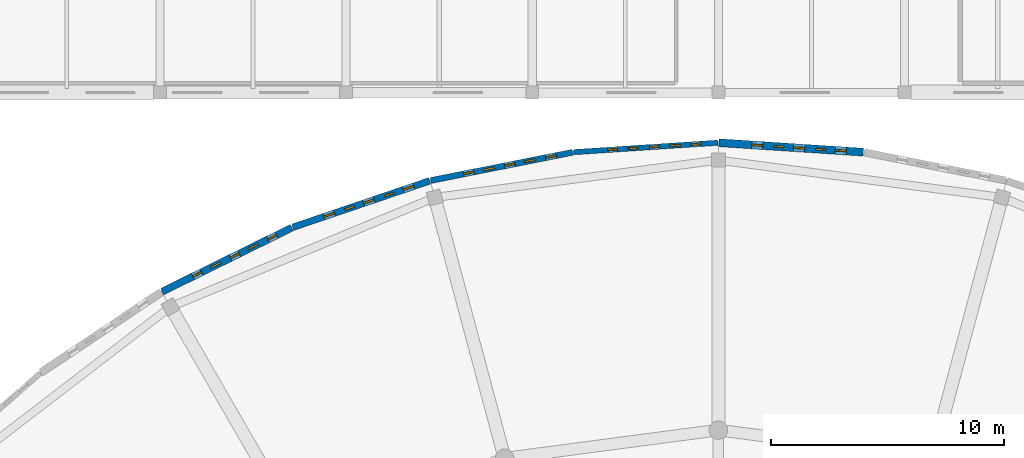
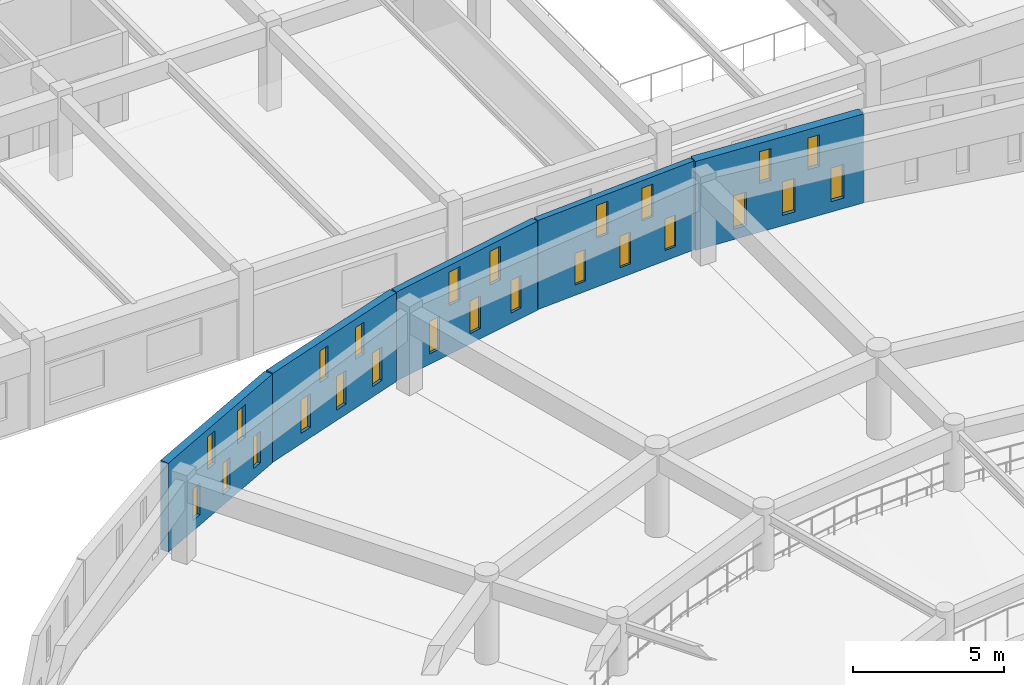
# One storey, part 115 of 155: 25 windows, 5 walls, 25 openings.
"""IFC4 building model written with IfcOpenShell, lengths in metres."""

from ifc_helpers import new_model, si_unit, direction, frame, frame_2d, origin, place, context, subcontext, project, spatial, rectangle, extrude, material, layer, layer_set, type_object, element, fill, save


model = new_model("IFC4")

# Units and contexts
model_context = context("Model", 3, precision=1e-05, world=origin(), true_north=direction((0.0, 1.0)))
body_context = subcontext(model_context, "Body", "Model", "MODEL_VIEW")
ifc_project = project(units=[si_unit("LENGTHUNIT", "METRE"), si_unit("AREAUNIT", "SQUARE_METRE"), si_unit("VOLUMEUNIT", "CUBIC_METRE"), si_unit("PLANEANGLEUNIT", "RADIAN"), si_unit("MASSUNIT", "GRAM", prefix="KILO")], contexts=[model_context])

# Site, building, storey
site_placement = place(None, origin())
site = spatial("IfcSite", under=ifc_project, at=site_placement, CompositionType="ELEMENT")
building_placement = place(site_placement, origin())
building = spatial("IfcBuilding", under=site, at=building_placement, Name="Larkveld Mobility Hub", CompositionType="ELEMENT")
storey_placement = place(building_placement, frame((0.0, 0.0, 8.39990234375)))
storey = spatial("IfcBuildingStorey", under=building, at=storey_placement, Name="L02", CompositionType="ELEMENT", Elevation=8.39990234375)

# Wall, openings, windows
ifc_material_1 = material(Name="Fired clay brick 25 MPa", Category="masonry")
ifc_layer_1 = layer(ifc_material_1, 0.22998046875, Name="Fired clay brick 25 MPa", Category="masonry")
ifc_layer_set_1 = layer_set([ifc_layer_1], Name="Fired clay brick 25 MPa")
wall_type_1 = type_object("IfcWallType", Name="WL-BRK-230", PredefinedType="USERDEFINED", material=ifc_layer_set_1)
wall_1_placement = place(storey_placement, frame((47.97607421875, 95.847900390625, 0.0), z_axis=(0.0, 0.0, 1.0), x_axis=(-0.997874164219, -0.065170180182, 0.0)))
wall_1 = element("IfcWall", 1, at=wall_1_placement, inside=storey, type_object=wall_type_1, Name="Drum Woven Open-Bond Brick Chord L02-0103", ObjectType="PERFORATED BRICK SCREEN", PredefinedType="USERDEFINED", context=body_context, shape_type="SweptSolid", body=[
    extrude(rectangle(XDim=6.211181640625, YDim=0.22998046875, at=frame_2d((3.10546875, 0.0))), origin(), (0.0, 0.0, 1.0), 3.60009765625),
])
opening_1_placement = place(wall_1_placement, frame((0.719970703125, 0.0, 0.419921875)))
opening_1 = element("IfcOpeningElement", 2, at=opening_1_placement, cuts=wall_1, Name="Opening W01", PredefinedType="OPENING", context=body_context, shape_type="SweptSolid", body=[
    extrude(rectangle(XDim=0.419921875, YDim=1.280029296875, at=frame_2d((0.2099609375, 0.64013671875))), frame((0.0, 0.125, 0.0), z_axis=(0.0, -1.0, 0.0), x_axis=(1.0, 0.0, 0.0)), (0.0, 0.0, 1.0), 0.25),
])
opening_2_placement = place(wall_1_placement, frame((2.52001953125, 0.0, 0.419921875)))
opening_2 = element("IfcOpeningElement", 3, at=opening_2_placement, cuts=wall_1, Name="Opening W01", PredefinedType="OPENING", context=body_context, shape_type="SweptSolid", body=[
    extrude(rectangle(XDim=0.419921875, YDim=1.280029296875, at=frame_2d((0.2099609375, 0.64013671875))), frame((0.0, 0.125, 0.0), z_axis=(0.0, -1.0, 0.0), x_axis=(1.0, 0.0, 0.0)), (0.0, 0.0, 1.0), 0.25),
])
opening_3_placement = place(wall_1_placement, frame((4.320068359375, 0.0, 0.419921875)))
opening_3 = element("IfcOpeningElement", 4, at=opening_3_placement, cuts=wall_1, Name="Opening W01", PredefinedType="OPENING", context=body_context, shape_type="SweptSolid", body=[
    extrude(rectangle(XDim=0.419921875, YDim=1.280029296875, at=frame_2d((0.2099609375, 0.64013671875))), frame((0.0, 0.125, 0.0), z_axis=(0.0, -1.0, 0.0), x_axis=(1.0, 0.0, 0.0)), (0.0, 0.0, 1.0), 0.25),
])
opening_4_placement = place(wall_1_placement, frame((1.6201171875, 0.0, 1.97998046875)))
opening_4 = element("IfcOpeningElement", 5, at=opening_4_placement, cuts=wall_1, Name="Opening W02", PredefinedType="OPENING", context=body_context, shape_type="SweptSolid", body=[
    extrude(rectangle(XDim=0.449951171875, YDim=1.320068359375, at=frame_2d((0.22509765625, 0.66015625))), frame((0.0, 0.125, 0.0), z_axis=(0.0, -1.0, 0.0), x_axis=(1.0, 0.0, 0.0)), (0.0, 0.0, 1.0), 0.25),
])
opening_5_placement = place(wall_1_placement, frame((3.419921875, 0.0, 1.97998046875)))
opening_5 = element("IfcOpeningElement", 6, at=opening_5_placement, cuts=wall_1, Name="Opening W02", PredefinedType="OPENING", context=body_context, shape_type="SweptSolid", body=[
    extrude(rectangle(XDim=0.449951171875, YDim=1.320068359375, at=frame_2d((0.22509765625, 0.66015625))), frame((0.0, 0.125, 0.0), z_axis=(0.0, -1.0, 0.0), x_axis=(1.0, 0.0, 0.0)), (0.0, 0.0, 1.0), 0.25),
])
ifc_material_2 = material(Name="Extruded aluminium ventilation grille", Category="aluminium")
window_type_1 = type_object("IfcWindowType", Name="WN-VENT-01", PartitioningType="SINGLE_PANEL", PredefinedType="WINDOW", material=ifc_material_2)
window_1_placement = place(opening_1_placement, origin())
window_1 = element("IfcWindow", 7, at=window_1_placement, inside=storey, type_object=window_type_1, Name="Window W01 (0501)", OverallHeight=1.280029296875, OverallWidth=0.419921875, PartitioningType="SINGLE_PANEL", PredefinedType="WINDOW", context=body_context, shape_type="SweptSolid", body=[
    extrude(rectangle(XDim=0.419921875, YDim=1.280029296875, at=frame_2d((0.2099609375, 0.64013671875))), frame((0.0, 0.030029296875, 0.0), z_axis=(0.0, -1.0, 0.0), x_axis=(1.0, 0.0, 0.0)), (0.0, 0.0, 1.0), 0.06005859375),
])
fill(opening_1, window_1)
window_2_placement = place(opening_2_placement, origin())
window_2 = element("IfcWindow", 8, at=window_2_placement, inside=storey, type_object=window_type_1, Name="Window W01 (0502)", OverallHeight=1.280029296875, OverallWidth=0.419921875, PartitioningType="SINGLE_PANEL", PredefinedType="WINDOW", context=body_context, shape_type="SweptSolid", body=[
    extrude(rectangle(XDim=0.419921875, YDim=1.280029296875, at=frame_2d((0.2099609375, 0.64013671875))), frame((0.0, 0.030029296875, 0.0), z_axis=(0.0, -1.0, 0.0), x_axis=(1.0, 0.0, 0.0)), (0.0, 0.0, 1.0), 0.06005859375),
])
fill(opening_2, window_2)
window_3_placement = place(opening_3_placement, origin())
window_3 = element("IfcWindow", 9, at=window_3_placement, inside=storey, type_object=window_type_1, Name="Window W01 (0503)", OverallHeight=1.280029296875, OverallWidth=0.419921875, PartitioningType="SINGLE_PANEL", PredefinedType="WINDOW", context=body_context, shape_type="SweptSolid", body=[
    extrude(rectangle(XDim=0.419921875, YDim=1.280029296875, at=frame_2d((0.2099609375, 0.64013671875))), frame((0.0, 0.030029296875, 0.0), z_axis=(0.0, -1.0, 0.0), x_axis=(1.0, 0.0, 0.0)), (0.0, 0.0, 1.0), 0.06005859375),
])
fill(opening_3, window_3)
window_type_2 = type_object("IfcWindowType", Name="WN-VENT-02", PartitioningType="SINGLE_PANEL", PredefinedType="WINDOW", material=ifc_material_2)
window_4_placement = place(opening_4_placement, origin())
window_4 = element("IfcWindow", 10, at=window_4_placement, inside=storey, type_object=window_type_2, Name="Window W02 (0504)", OverallHeight=1.320068359375, OverallWidth=0.449951171875, PartitioningType="SINGLE_PANEL", PredefinedType="WINDOW", context=body_context, shape_type="SweptSolid", body=[
    extrude(rectangle(XDim=0.449951171875, YDim=1.320068359375, at=frame_2d((0.22509765625, 0.66015625))), frame((0.0, 0.030029296875, 0.0), z_axis=(0.0, -1.0, 0.0), x_axis=(1.0, 0.0, 0.0)), (0.0, 0.0, 1.0), 0.06005859375),
])
fill(opening_4, window_4)
window_5_placement = place(opening_5_placement, origin())
window_5 = element("IfcWindow", 11, at=window_5_placement, inside=storey, type_object=window_type_2, Name="Window W02 (0505)", OverallHeight=1.320068359375, OverallWidth=0.449951171875, PartitioningType="SINGLE_PANEL", PredefinedType="WINDOW", context=body_context, shape_type="SweptSolid", body=[
    extrude(rectangle(XDim=0.449951171875, YDim=1.320068359375, at=frame_2d((0.22509765625, 0.66015625))), frame((0.0, 0.030029296875, 0.0), z_axis=(0.0, -1.0, 0.0), x_axis=(1.0, 0.0, 0.0)), (0.0, 0.0, 1.0), 0.06005859375),
])
fill(opening_5, window_5)

ifc_layer_2 = layer(ifc_material_1, 0.260009765625, Name="Fired clay brick 25 MPa", Category="masonry")
ifc_layer_set_2 = layer_set([ifc_layer_2], Name="Fired clay brick 25 MPa")
wall_type_2 = type_object("IfcWallType", Name="WL-BRK-260", PredefinedType="USERDEFINED", material=ifc_layer_set_2)
wall_2_placement = place(storey_placement, frame((41.72998046875, 95.43603515625, 0.0), z_axis=(0.0, 0.0, 1.0), x_axis=(-0.980799338869, -0.195019632022, 0.0)))
wall_2 = element("IfcWall", 12, at=wall_2_placement, inside=storey, type_object=wall_type_2, Name="Drum Woven Open-Bond Brick Chord L02-0104", ObjectType="PERFORATED BRICK SCREEN", PredefinedType="USERDEFINED", context=body_context, shape_type="SweptSolid", body=[
    extrude(rectangle(XDim=6.209228515625, YDim=0.260009765625, at=frame_2d((3.1044921875, 0.0))), origin(), (0.0, 0.0, 1.0), 3.60009765625),
])
opening_6_placement = place(wall_2_placement, frame((0.719970703125, 0.0, 0.419921875)))
opening_6 = element("IfcOpeningElement", 13, at=opening_6_placement, cuts=wall_2, Name="Opening W02", PredefinedType="OPENING", context=body_context, shape_type="SweptSolid", body=[
    extrude(rectangle(XDim=0.449951171875, YDim=1.320068359375, at=frame_2d((0.22509765625, 0.66015625))), frame((0.0, 0.14013671875, 0.0), z_axis=(0.0, -1.0, 0.0), x_axis=(1.0, 0.0, 0.0)), (0.0, 0.0, 1.0), 0.280029296875),
])
opening_7_placement = place(wall_2_placement, frame((2.52001953125, 0.0, 0.419921875)))
opening_7 = element("IfcOpeningElement", 14, at=opening_7_placement, cuts=wall_2, Name="Opening W02", PredefinedType="OPENING", context=body_context, shape_type="SweptSolid", body=[
    extrude(rectangle(XDim=0.449951171875, YDim=1.320068359375, at=frame_2d((0.22509765625, 0.66015625))), frame((0.0, 0.14013671875, 0.0), z_axis=(0.0, -1.0, 0.0), x_axis=(1.0, 0.0, 0.0)), (0.0, 0.0, 1.0), 0.280029296875),
])
opening_8_placement = place(wall_2_placement, frame((4.320068359375, 0.0, 0.419921875)))
opening_8 = element("IfcOpeningElement", 15, at=opening_8_placement, cuts=wall_2, Name="Opening W02", PredefinedType="OPENING", context=body_context, shape_type="SweptSolid", body=[
    extrude(rectangle(XDim=0.449951171875, YDim=1.320068359375, at=frame_2d((0.22509765625, 0.66015625))), frame((0.0, 0.14013671875, 0.0), z_axis=(0.0, -1.0, 0.0), x_axis=(1.0, 0.0, 0.0)), (0.0, 0.0, 1.0), 0.280029296875),
])
opening_9_placement = place(wall_2_placement, frame((1.6201171875, 0.0, 1.97998046875)))
opening_9 = element("IfcOpeningElement", 16, at=opening_9_placement, cuts=wall_2, Name="Opening W03", PredefinedType="OPENING", context=body_context, shape_type="SweptSolid", body=[
    extrude(rectangle(XDim=0.47998046875, YDim=1.360107421875, at=frame_2d((0.239990234375, 0.68017578125))), frame((0.0, 0.14013671875, 0.0), z_axis=(0.0, -1.0, 0.0), x_axis=(1.0, 0.0, 0.0)), (0.0, 0.0, 1.0), 0.280029296875),
])
opening_10_placement = place(wall_2_placement, frame((3.419921875, 0.0, 1.97998046875)))
opening_10 = element("IfcOpeningElement", 17, at=opening_10_placement, cuts=wall_2, Name="Opening W03", PredefinedType="OPENING", context=body_context, shape_type="SweptSolid", body=[
    extrude(rectangle(XDim=0.47998046875, YDim=1.360107421875, at=frame_2d((0.239990234375, 0.68017578125))), frame((0.0, 0.14013671875, 0.0), z_axis=(0.0, -1.0, 0.0), x_axis=(1.0, 0.0, 0.0)), (0.0, 0.0, 1.0), 0.280029296875),
])
window_6_placement = place(opening_6_placement, origin())
window_6 = element("IfcWindow", 18, at=window_6_placement, inside=storey, type_object=window_type_2, Name="Window W02 (0506)", OverallHeight=1.320068359375, OverallWidth=0.449951171875, PartitioningType="SINGLE_PANEL", PredefinedType="WINDOW", context=body_context, shape_type="SweptSolid", body=[
    extrude(rectangle(XDim=0.449951171875, YDim=1.320068359375, at=frame_2d((0.22509765625, 0.66015625))), frame((0.0, 0.030029296875, 0.0), z_axis=(0.0, -1.0, 0.0), x_axis=(1.0, 0.0, 0.0)), (0.0, 0.0, 1.0), 0.06005859375),
])
fill(opening_6, window_6)
window_7_placement = place(opening_7_placement, origin())
window_7 = element("IfcWindow", 19, at=window_7_placement, inside=storey, type_object=window_type_2, Name="Window W02 (0507)", OverallHeight=1.320068359375, OverallWidth=0.449951171875, PartitioningType="SINGLE_PANEL", PredefinedType="WINDOW", context=body_context, shape_type="SweptSolid", body=[
    extrude(rectangle(XDim=0.449951171875, YDim=1.320068359375, at=frame_2d((0.22509765625, 0.66015625))), frame((0.0, 0.030029296875, 0.0), z_axis=(0.0, -1.0, 0.0), x_axis=(1.0, 0.0, 0.0)), (0.0, 0.0, 1.0), 0.06005859375),
])
fill(opening_7, window_7)
window_8_placement = place(opening_8_placement, origin())
window_8 = element("IfcWindow", 20, at=window_8_placement, inside=storey, type_object=window_type_2, Name="Window W02 (0508)", OverallHeight=1.320068359375, OverallWidth=0.449951171875, PartitioningType="SINGLE_PANEL", PredefinedType="WINDOW", context=body_context, shape_type="SweptSolid", body=[
    extrude(rectangle(XDim=0.449951171875, YDim=1.320068359375, at=frame_2d((0.22509765625, 0.66015625))), frame((0.0, 0.030029296875, 0.0), z_axis=(0.0, -1.0, 0.0), x_axis=(1.0, 0.0, 0.0)), (0.0, 0.0, 1.0), 0.06005859375),
])
fill(opening_8, window_8)
window_type_3 = type_object("IfcWindowType", Name="WN-VENT-03", PartitioningType="SINGLE_PANEL", PredefinedType="WINDOW", material=ifc_material_2)
window_9_placement = place(opening_9_placement, origin())
window_9 = element("IfcWindow", 21, at=window_9_placement, inside=storey, type_object=window_type_3, Name="Window W03 (0509)", OverallHeight=1.360107421875, OverallWidth=0.47998046875, PartitioningType="SINGLE_PANEL", PredefinedType="WINDOW", context=body_context, shape_type="SweptSolid", body=[
    extrude(rectangle(XDim=0.47998046875, YDim=1.360107421875, at=frame_2d((0.239990234375, 0.68017578125))), frame((0.0, 0.030029296875, 0.0), z_axis=(0.0, -1.0, 0.0), x_axis=(1.0, 0.0, 0.0)), (0.0, 0.0, 1.0), 0.06005859375),
])
fill(opening_9, window_9)
window_10_placement = place(opening_10_placement, origin())
window_10 = element("IfcWindow", 22, at=window_10_placement, inside=storey, type_object=window_type_3, Name="Window W03 (0510)", OverallHeight=1.360107421875, OverallWidth=0.47998046875, PartitioningType="SINGLE_PANEL", PredefinedType="WINDOW", context=body_context, shape_type="SweptSolid", body=[
    extrude(rectangle(XDim=0.47998046875, YDim=1.360107421875, at=frame_2d((0.239990234375, 0.68017578125))), frame((0.0, 0.030029296875, 0.0), z_axis=(0.0, -1.0, 0.0), x_axis=(1.0, 0.0, 0.0)), (0.0, 0.0, 1.0), 0.06005859375),
])
fill(opening_10, window_10)

ifc_layer_3 = layer(ifc_material_1, 0.2900390625, Name="Fired clay brick 25 MPa", Category="masonry")
ifc_layer_set_3 = layer_set([ifc_layer_3], Name="Fired clay brick 25 MPa")
wall_type_3 = type_object("IfcWallType", Name="WL-BRK-290", PredefinedType="USERDEFINED", material=ifc_layer_set_3)
wall_3_placement = place(storey_placement, frame((35.593017578125, 94.2119140625, 0.0), z_axis=(0.0, 0.0, 1.0), x_axis=(-0.946955417172, -0.321364960579, 0.0)))
wall_3 = element("IfcWall", 23, at=wall_3_placement, inside=storey, type_object=wall_type_3, Name="Drum Woven Open-Bond Brick Chord L02-0105", ObjectType="PERFORATED BRICK SCREEN", PredefinedType="USERDEFINED", context=body_context, shape_type="SweptSolid", body=[
    extrude(rectangle(XDim=6.21044921875, YDim=0.2900390625, at=frame_2d((3.105224609375, 0.0))), origin(), (0.0, 0.0, 1.0), 3.60009765625),
])
opening_11_placement = place(wall_3_placement, frame((0.719970703125, 0.0, 0.419921875)))
opening_11 = element("IfcOpeningElement", 24, at=opening_11_placement, cuts=wall_3, Name="Opening W03", PredefinedType="OPENING", context=body_context, shape_type="SweptSolid", body=[
    extrude(rectangle(XDim=0.47998046875, YDim=1.360107421875, at=frame_2d((0.239990234375, 0.68017578125))), frame((0.0, 0.155029296875, 0.0), z_axis=(0.0, -1.0, 0.0), x_axis=(1.0, 0.0, 0.0)), (0.0, 0.0, 1.0), 0.31005859375),
])
opening_12_placement = place(wall_3_placement, frame((2.52001953125, 0.0, 0.419921875)))
opening_12 = element("IfcOpeningElement", 25, at=opening_12_placement, cuts=wall_3, Name="Opening W03", PredefinedType="OPENING", context=body_context, shape_type="SweptSolid", body=[
    extrude(rectangle(XDim=0.47998046875, YDim=1.360107421875, at=frame_2d((0.239990234375, 0.68017578125))), frame((0.0, 0.155029296875, 0.0), z_axis=(0.0, -1.0, 0.0), x_axis=(1.0, 0.0, 0.0)), (0.0, 0.0, 1.0), 0.31005859375),
])
opening_13_placement = place(wall_3_placement, frame((4.320068359375, 0.0, 0.419921875)))
opening_13 = element("IfcOpeningElement", 26, at=opening_13_placement, cuts=wall_3, Name="Opening W03", PredefinedType="OPENING", context=body_context, shape_type="SweptSolid", body=[
    extrude(rectangle(XDim=0.47998046875, YDim=1.360107421875, at=frame_2d((0.239990234375, 0.68017578125))), frame((0.0, 0.155029296875, 0.0), z_axis=(0.0, -1.0, 0.0), x_axis=(1.0, 0.0, 0.0)), (0.0, 0.0, 1.0), 0.31005859375),
])
opening_14_placement = place(wall_3_placement, frame((1.6201171875, 0.0, 1.97998046875)))
opening_14 = element("IfcOpeningElement", 27, at=opening_14_placement, cuts=wall_3, Name="Opening W01", PredefinedType="OPENING", context=body_context, shape_type="SweptSolid", body=[
    extrude(rectangle(XDim=0.419921875, YDim=1.280029296875, at=frame_2d((0.2099609375, 0.64013671875))), frame((0.0, 0.155029296875, 0.0), z_axis=(0.0, -1.0, 0.0), x_axis=(1.0, 0.0, 0.0)), (0.0, 0.0, 1.0), 0.31005859375),
])
opening_15_placement = place(wall_3_placement, frame((3.419921875, 0.0, 1.97998046875)))
opening_15 = element("IfcOpeningElement", 28, at=opening_15_placement, cuts=wall_3, Name="Opening W01", PredefinedType="OPENING", context=body_context, shape_type="SweptSolid", body=[
    extrude(rectangle(XDim=0.419921875, YDim=1.280029296875, at=frame_2d((0.2099609375, 0.64013671875))), frame((0.0, 0.155029296875, 0.0), z_axis=(0.0, -1.0, 0.0), x_axis=(1.0, 0.0, 0.0)), (0.0, 0.0, 1.0), 0.31005859375),
])
window_11_placement = place(opening_14_placement, origin())
window_11 = element("IfcWindow", 29, at=window_11_placement, inside=storey, type_object=window_type_1, Name="Window W01 (0514)", OverallHeight=1.280029296875, OverallWidth=0.419921875, PartitioningType="SINGLE_PANEL", PredefinedType="WINDOW", context=body_context, shape_type="SweptSolid", body=[
    extrude(rectangle(XDim=0.419921875, YDim=1.280029296875, at=frame_2d((0.2099609375, 0.64013671875))), frame((0.0, 0.030029296875, 0.0), z_axis=(0.0, -1.0, 0.0), x_axis=(1.0, 0.0, 0.0)), (0.0, 0.0, 1.0), 0.06005859375),
])
fill(opening_14, window_11)
window_12_placement = place(opening_15_placement, origin())
window_12 = element("IfcWindow", 30, at=window_12_placement, inside=storey, type_object=window_type_1, Name="Window W01 (0515)", OverallHeight=1.280029296875, OverallWidth=0.419921875, PartitioningType="SINGLE_PANEL", PredefinedType="WINDOW", context=body_context, shape_type="SweptSolid", body=[
    extrude(rectangle(XDim=0.419921875, YDim=1.280029296875, at=frame_2d((0.2099609375, 0.64013671875))), frame((0.0, 0.030029296875, 0.0), z_axis=(0.0, -1.0, 0.0), x_axis=(1.0, 0.0, 0.0)), (0.0, 0.0, 1.0), 0.06005859375),
])
fill(opening_15, window_12)
window_13_placement = place(opening_11_placement, origin())
window_13 = element("IfcWindow", 31, at=window_13_placement, inside=storey, type_object=window_type_3, Name="Window W03 (0511)", OverallHeight=1.360107421875, OverallWidth=0.47998046875, PartitioningType="SINGLE_PANEL", PredefinedType="WINDOW", context=body_context, shape_type="SweptSolid", body=[
    extrude(rectangle(XDim=0.47998046875, YDim=1.360107421875, at=frame_2d((0.239990234375, 0.68017578125))), frame((0.0, 0.030029296875, 0.0), z_axis=(0.0, -1.0, 0.0), x_axis=(1.0, 0.0, 0.0)), (0.0, 0.0, 1.0), 0.06005859375),
])
fill(opening_11, window_13)
window_14_placement = place(opening_12_placement, origin())
window_14 = element("IfcWindow", 32, at=window_14_placement, inside=storey, type_object=window_type_3, Name="Window W03 (0512)", OverallHeight=1.360107421875, OverallWidth=0.47998046875, PartitioningType="SINGLE_PANEL", PredefinedType="WINDOW", context=body_context, shape_type="SweptSolid", body=[
    extrude(rectangle(XDim=0.47998046875, YDim=1.360107421875, at=frame_2d((0.239990234375, 0.68017578125))), frame((0.0, 0.030029296875, 0.0), z_axis=(0.0, -1.0, 0.0), x_axis=(1.0, 0.0, 0.0)), (0.0, 0.0, 1.0), 0.06005859375),
])
fill(opening_12, window_14)
window_15_placement = place(opening_13_placement, origin())
window_15 = element("IfcWindow", 33, at=window_15_placement, inside=storey, type_object=window_type_3, Name="Window W03 (0513)", OverallHeight=1.360107421875, OverallWidth=0.47998046875, PartitioningType="SINGLE_PANEL", PredefinedType="WINDOW", context=body_context, shape_type="SweptSolid", body=[
    extrude(rectangle(XDim=0.47998046875, YDim=1.360107421875, at=frame_2d((0.239990234375, 0.68017578125))), frame((0.0, 0.030029296875, 0.0), z_axis=(0.0, -1.0, 0.0), x_axis=(1.0, 0.0, 0.0)), (0.0, 0.0, 1.0), 0.06005859375),
])
fill(opening_13, window_15)

ifc_layer_4 = layer(ifc_material_1, 0.31005859375, Name="Fired clay brick 25 MPa", Category="masonry")
ifc_layer_set_4 = layer_set([ifc_layer_4], Name="Fired clay brick 25 MPa")
wall_type_4 = type_object("IfcWallType", Name="WL-BRK-310", PredefinedType="USERDEFINED", material=ifc_layer_set_4)
wall_4_placement = place(storey_placement, frame((29.6669921875, 92.197021484375, 0.0), z_axis=(0.0, 0.0, 1.0), x_axis=(-0.896858908126, -0.442316740488, 0.0)))
wall_4 = element("IfcWall", 34, at=wall_4_placement, inside=storey, type_object=wall_type_4, Name="Drum Woven Open-Bond Brick Chord L02-0106", ObjectType="PERFORATED BRICK SCREEN", PredefinedType="USERDEFINED", context=body_context, shape_type="SweptSolid", body=[
    extrude(rectangle(XDim=6.210693359375, YDim=0.31005859375, at=frame_2d((3.10546875, 0.0))), origin(), (0.0, 0.0, 1.0), 3.60009765625),
])
opening_16_placement = place(wall_4_placement, frame((0.719970703125, 0.0, 0.419921875)))
opening_16 = element("IfcOpeningElement", 35, at=opening_16_placement, cuts=wall_4, Name="Opening W01", PredefinedType="OPENING", context=body_context, shape_type="SweptSolid", body=[
    extrude(rectangle(XDim=0.419921875, YDim=1.280029296875, at=frame_2d((0.2099609375, 0.64013671875))), frame((0.0, 0.1650390625, 0.0), z_axis=(0.0, -1.0, 0.0), x_axis=(1.0, 0.0, 0.0)), (0.0, 0.0, 1.0), 0.330078125),
])
opening_17_placement = place(wall_4_placement, frame((2.52001953125, 0.0, 0.419921875)))
opening_17 = element("IfcOpeningElement", 36, at=opening_17_placement, cuts=wall_4, Name="Opening W01", PredefinedType="OPENING", context=body_context, shape_type="SweptSolid", body=[
    extrude(rectangle(XDim=0.419921875, YDim=1.280029296875, at=frame_2d((0.2099609375, 0.64013671875))), frame((0.0, 0.1650390625, 0.0), z_axis=(0.0, -1.0, 0.0), x_axis=(1.0, 0.0, 0.0)), (0.0, 0.0, 1.0), 0.330078125),
])
opening_18_placement = place(wall_4_placement, frame((4.320068359375, 0.0, 0.419921875)))
opening_18 = element("IfcOpeningElement", 37, at=opening_18_placement, cuts=wall_4, Name="Opening W01", PredefinedType="OPENING", context=body_context, shape_type="SweptSolid", body=[
    extrude(rectangle(XDim=0.419921875, YDim=1.280029296875, at=frame_2d((0.2099609375, 0.64013671875))), frame((0.0, 0.1650390625, 0.0), z_axis=(0.0, -1.0, 0.0), x_axis=(1.0, 0.0, 0.0)), (0.0, 0.0, 1.0), 0.330078125),
])
opening_19_placement = place(wall_4_placement, frame((1.6201171875, 0.0, 1.97998046875)))
opening_19 = element("IfcOpeningElement", 38, at=opening_19_placement, cuts=wall_4, Name="Opening W02", PredefinedType="OPENING", context=body_context, shape_type="SweptSolid", body=[
    extrude(rectangle(XDim=0.449951171875, YDim=1.320068359375, at=frame_2d((0.22509765625, 0.66015625))), frame((0.0, 0.1650390625, 0.0), z_axis=(0.0, -1.0, 0.0), x_axis=(1.0, 0.0, 0.0)), (0.0, 0.0, 1.0), 0.330078125),
])
opening_20_placement = place(wall_4_placement, frame((3.419921875, 0.0, 1.97998046875)))
opening_20 = element("IfcOpeningElement", 39, at=opening_20_placement, cuts=wall_4, Name="Opening W02", PredefinedType="OPENING", context=body_context, shape_type="SweptSolid", body=[
    extrude(rectangle(XDim=0.449951171875, YDim=1.320068359375, at=frame_2d((0.22509765625, 0.66015625))), frame((0.0, 0.1650390625, 0.0), z_axis=(0.0, -1.0, 0.0), x_axis=(1.0, 0.0, 0.0)), (0.0, 0.0, 1.0), 0.330078125),
])
window_16_placement = place(opening_16_placement, origin())
window_16 = element("IfcWindow", 40, at=window_16_placement, inside=storey, type_object=window_type_1, Name="Window W01 (0516)", OverallHeight=1.280029296875, OverallWidth=0.419921875, PartitioningType="SINGLE_PANEL", PredefinedType="WINDOW", context=body_context, shape_type="SweptSolid", body=[
    extrude(rectangle(XDim=0.419921875, YDim=1.280029296875, at=frame_2d((0.2099609375, 0.64013671875))), frame((0.0, 0.030029296875, 0.0), z_axis=(0.0, -1.0, 0.0), x_axis=(1.0, 0.0, 0.0)), (0.0, 0.0, 1.0), 0.06005859375),
])
fill(opening_16, window_16)
window_17_placement = place(opening_17_placement, origin())
window_17 = element("IfcWindow", 41, at=window_17_placement, inside=storey, type_object=window_type_1, Name="Window W01 (0517)", OverallHeight=1.280029296875, OverallWidth=0.419921875, PartitioningType="SINGLE_PANEL", PredefinedType="WINDOW", context=body_context, shape_type="SweptSolid", body=[
    extrude(rectangle(XDim=0.419921875, YDim=1.280029296875, at=frame_2d((0.2099609375, 0.64013671875))), frame((0.0, 0.030029296875, 0.0), z_axis=(0.0, -1.0, 0.0), x_axis=(1.0, 0.0, 0.0)), (0.0, 0.0, 1.0), 0.06005859375),
])
fill(opening_17, window_17)
window_18_placement = place(opening_18_placement, origin())
window_18 = element("IfcWindow", 42, at=window_18_placement, inside=storey, type_object=window_type_1, Name="Window W01 (0518)", OverallHeight=1.280029296875, OverallWidth=0.419921875, PartitioningType="SINGLE_PANEL", PredefinedType="WINDOW", context=body_context, shape_type="SweptSolid", body=[
    extrude(rectangle(XDim=0.419921875, YDim=1.280029296875, at=frame_2d((0.2099609375, 0.64013671875))), frame((0.0, 0.030029296875, 0.0), z_axis=(0.0, -1.0, 0.0), x_axis=(1.0, 0.0, 0.0)), (0.0, 0.0, 1.0), 0.06005859375),
])
fill(opening_18, window_18)
window_19_placement = place(opening_19_placement, origin())
window_19 = element("IfcWindow", 43, at=window_19_placement, inside=storey, type_object=window_type_2, Name="Window W02 (0519)", OverallHeight=1.320068359375, OverallWidth=0.449951171875, PartitioningType="SINGLE_PANEL", PredefinedType="WINDOW", context=body_context, shape_type="SweptSolid", body=[
    extrude(rectangle(XDim=0.449951171875, YDim=1.320068359375, at=frame_2d((0.22509765625, 0.66015625))), frame((0.0, 0.030029296875, 0.0), z_axis=(0.0, -1.0, 0.0), x_axis=(1.0, 0.0, 0.0)), (0.0, 0.0, 1.0), 0.06005859375),
])
fill(opening_19, window_19)
window_20_placement = place(opening_20_placement, origin())
window_20 = element("IfcWindow", 44, at=window_20_placement, inside=storey, type_object=window_type_2, Name="Window W02 (0520)", OverallHeight=1.320068359375, OverallWidth=0.449951171875, PartitioningType="SINGLE_PANEL", PredefinedType="WINDOW", context=body_context, shape_type="SweptSolid", body=[
    extrude(rectangle(XDim=0.449951171875, YDim=1.320068359375, at=frame_2d((0.22509765625, 0.66015625))), frame((0.0, 0.030029296875, 0.0), z_axis=(0.0, -1.0, 0.0), x_axis=(1.0, 0.0, 0.0)), (0.0, 0.0, 1.0), 0.06005859375),
])
fill(opening_20, window_20)

ifc_layer_5 = layer(ifc_material_1, 0.340087890625, Name="Fired clay brick 25 MPa", Category="masonry")
ifc_layer_set_5 = layer_set([ifc_layer_5], Name="Fired clay brick 25 MPa")
wall_type_5 = type_object("IfcWallType", Name="WL-BRK-340", PredefinedType="USERDEFINED", material=ifc_layer_set_5)
wall_5_placement = place(storey_placement, frame((54.221923828125, 95.443115234375, 0.0), z_axis=(0.0, 0.0, 1.0), x_axis=(-0.997874164219, 0.065170180182, 0.0)))
wall_5 = element("IfcWall", 45, at=wall_5_placement, inside=storey, type_object=wall_type_5, Name="Drum Woven Open-Bond Brick Chord L02-0102", ObjectType="PERFORATED BRICK SCREEN", PredefinedType="USERDEFINED", context=body_context, shape_type="SweptSolid", body=[
    extrude(rectangle(XDim=6.211181640625, YDim=0.340087890625, at=frame_2d((3.10546875, 0.0))), origin(), (0.0, 0.0, 1.0), 3.60009765625),
])
opening_21_placement = place(wall_5_placement, frame((0.719970703125, 0.0, 0.419921875)))
opening_21 = element("IfcOpeningElement", 46, at=opening_21_placement, cuts=wall_5, Name="Opening W03", PredefinedType="OPENING", context=body_context, shape_type="SweptSolid", body=[
    extrude(rectangle(XDim=0.47998046875, YDim=1.360107421875, at=frame_2d((0.239990234375, 0.68017578125))), frame((0.0, 0.18017578125, 0.0), z_axis=(0.0, -1.0, 0.0), x_axis=(1.0, 0.0, 0.0)), (0.0, 0.0, 1.0), 0.360107421875),
])
opening_22_placement = place(wall_5_placement, frame((2.52001953125, 0.0, 0.419921875)))
opening_22 = element("IfcOpeningElement", 47, at=opening_22_placement, cuts=wall_5, Name="Opening W03", PredefinedType="OPENING", context=body_context, shape_type="SweptSolid", body=[
    extrude(rectangle(XDim=0.47998046875, YDim=1.360107421875, at=frame_2d((0.239990234375, 0.68017578125))), frame((0.0, 0.18017578125, 0.0), z_axis=(0.0, -1.0, 0.0), x_axis=(1.0, 0.0, 0.0)), (0.0, 0.0, 1.0), 0.360107421875),
])
opening_23_placement = place(wall_5_placement, frame((4.320068359375, 0.0, 0.419921875)))
opening_23 = element("IfcOpeningElement", 48, at=opening_23_placement, cuts=wall_5, Name="Opening W03", PredefinedType="OPENING", context=body_context, shape_type="SweptSolid", body=[
    extrude(rectangle(XDim=0.47998046875, YDim=1.360107421875, at=frame_2d((0.239990234375, 0.68017578125))), frame((0.0, 0.18017578125, 0.0), z_axis=(0.0, -1.0, 0.0), x_axis=(1.0, 0.0, 0.0)), (0.0, 0.0, 1.0), 0.360107421875),
])
opening_24_placement = place(wall_5_placement, frame((1.6201171875, 0.0, 1.97998046875)))
opening_24 = element("IfcOpeningElement", 49, at=opening_24_placement, cuts=wall_5, Name="Opening W01", PredefinedType="OPENING", context=body_context, shape_type="SweptSolid", body=[
    extrude(rectangle(XDim=0.419921875, YDim=1.280029296875, at=frame_2d((0.2099609375, 0.64013671875))), frame((0.0, 0.18017578125, 0.0), z_axis=(0.0, -1.0, 0.0), x_axis=(1.0, 0.0, 0.0)), (0.0, 0.0, 1.0), 0.360107421875),
])
opening_25_placement = place(wall_5_placement, frame((3.419921875, 0.0, 1.97998046875)))
opening_25 = element("IfcOpeningElement", 50, at=opening_25_placement, cuts=wall_5, Name="Opening W01", PredefinedType="OPENING", context=body_context, shape_type="SweptSolid", body=[
    extrude(rectangle(XDim=0.419921875, YDim=1.280029296875, at=frame_2d((0.2099609375, 0.64013671875))), frame((0.0, 0.18017578125, 0.0), z_axis=(0.0, -1.0, 0.0), x_axis=(1.0, 0.0, 0.0)), (0.0, 0.0, 1.0), 0.360107421875),
])
window_21_placement = place(opening_24_placement, origin())
window_21 = element("IfcWindow", 51, at=window_21_placement, inside=storey, type_object=window_type_1, Name="Window W01 (0499)", OverallHeight=1.280029296875, OverallWidth=0.419921875, PartitioningType="SINGLE_PANEL", PredefinedType="WINDOW", context=body_context, shape_type="SweptSolid", body=[
    extrude(rectangle(XDim=0.419921875, YDim=1.280029296875, at=frame_2d((0.2099609375, 0.64013671875))), frame((0.0, 0.030029296875, 0.0), z_axis=(0.0, -1.0, 0.0), x_axis=(1.0, 0.0, 0.0)), (0.0, 0.0, 1.0), 0.06005859375),
])
fill(opening_24, window_21)
window_22_placement = place(opening_25_placement, origin())
window_22 = element("IfcWindow", 52, at=window_22_placement, inside=storey, type_object=window_type_1, Name="Window W01 (0500)", OverallHeight=1.280029296875, OverallWidth=0.419921875, PartitioningType="SINGLE_PANEL", PredefinedType="WINDOW", context=body_context, shape_type="SweptSolid", body=[
    extrude(rectangle(XDim=0.419921875, YDim=1.280029296875, at=frame_2d((0.2099609375, 0.64013671875))), frame((0.0, 0.030029296875, 0.0), z_axis=(0.0, -1.0, 0.0), x_axis=(1.0, 0.0, 0.0)), (0.0, 0.0, 1.0), 0.06005859375),
])
fill(opening_25, window_22)
window_23_placement = place(opening_21_placement, origin())
window_23 = element("IfcWindow", 53, at=window_23_placement, inside=storey, type_object=window_type_3, Name="Window W03 (0496)", OverallHeight=1.360107421875, OverallWidth=0.47998046875, PartitioningType="SINGLE_PANEL", PredefinedType="WINDOW", context=body_context, shape_type="SweptSolid", body=[
    extrude(rectangle(XDim=0.47998046875, YDim=1.360107421875, at=frame_2d((0.239990234375, 0.68017578125))), frame((0.0, 0.030029296875, 0.0), z_axis=(0.0, -1.0, 0.0), x_axis=(1.0, 0.0, 0.0)), (0.0, 0.0, 1.0), 0.06005859375),
])
fill(opening_21, window_23)
window_24_placement = place(opening_22_placement, origin())
window_24 = element("IfcWindow", 54, at=window_24_placement, inside=storey, type_object=window_type_3, Name="Window W03 (0497)", OverallHeight=1.360107421875, OverallWidth=0.47998046875, PartitioningType="SINGLE_PANEL", PredefinedType="WINDOW", context=body_context, shape_type="SweptSolid", body=[
    extrude(rectangle(XDim=0.47998046875, YDim=1.360107421875, at=frame_2d((0.239990234375, 0.68017578125))), frame((0.0, 0.030029296875, 0.0), z_axis=(0.0, -1.0, 0.0), x_axis=(1.0, 0.0, 0.0)), (0.0, 0.0, 1.0), 0.06005859375),
])
fill(opening_22, window_24)
window_25_placement = place(opening_23_placement, origin())
window_25 = element("IfcWindow", 55, at=window_25_placement, inside=storey, type_object=window_type_3, Name="Window W03 (0498)", OverallHeight=1.360107421875, OverallWidth=0.47998046875, PartitioningType="SINGLE_PANEL", PredefinedType="WINDOW", context=body_context, shape_type="SweptSolid", body=[
    extrude(rectangle(XDim=0.47998046875, YDim=1.360107421875, at=frame_2d((0.239990234375, 0.68017578125))), frame((0.0, 0.030029296875, 0.0), z_axis=(0.0, -1.0, 0.0), x_axis=(1.0, 0.0, 0.0)), (0.0, 0.0, 1.0), 0.06005859375),
])
fill(opening_23, window_25)

save(model, "model.ifc")
